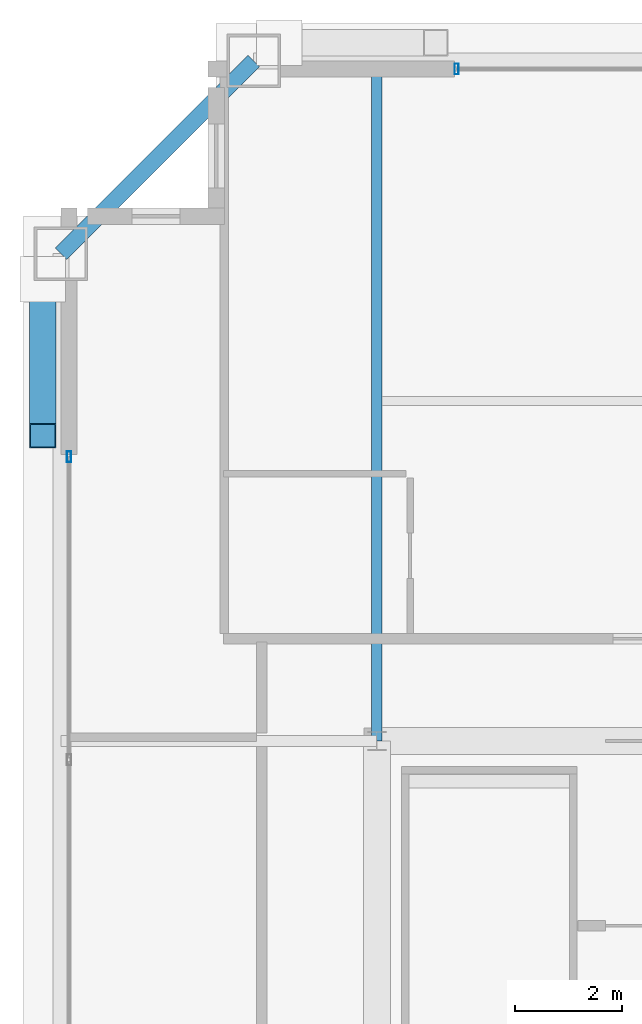
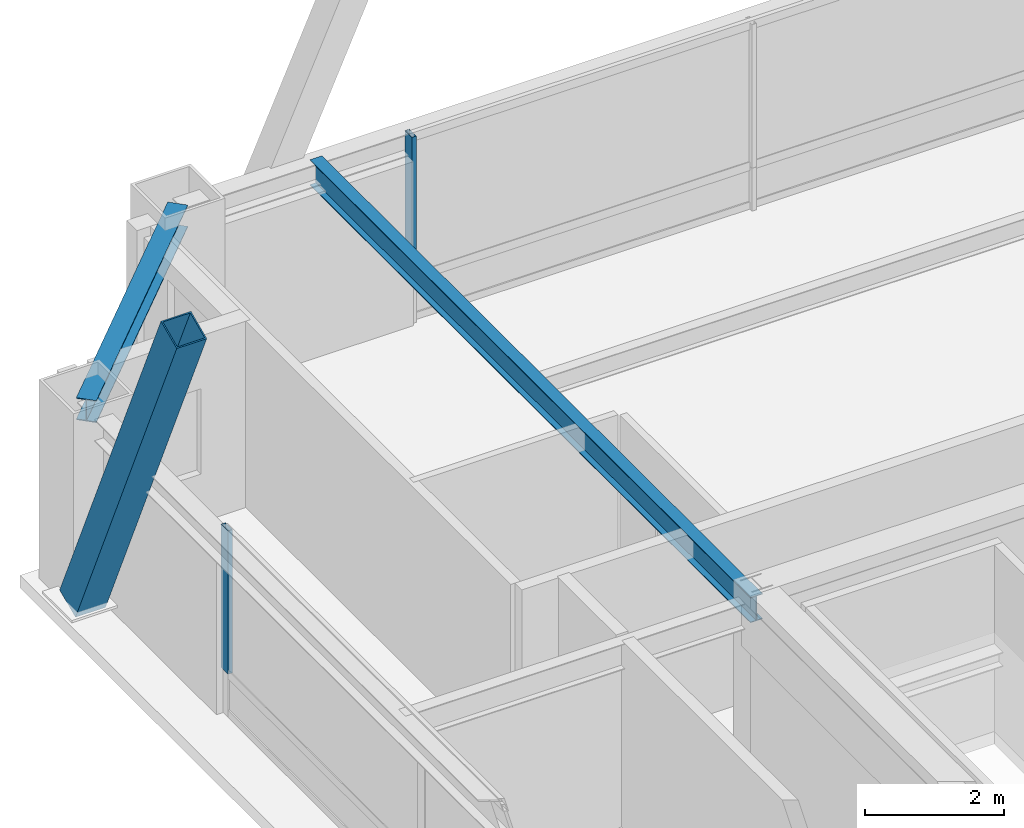
# One storey, part 15 of 34: 3 members, 2 beams, 2 elements without a shape of their own.
"""IFC4 building model written with IfcOpenShell, lengths in metres."""

import ifcopenshell
import ifcopenshell.guid

model = None  # the IFC model being written
_history = None  # IfcOwnerHistory: only IFC2X3 demands one
_inside = {}  # id of a spatial element -> (the spatial element, [elements in it])
_under = {}  # id of a project, library or spatial element -> (it, [spatial elements below it])
_declared = {}  # id of a project -> (the project, [libraries it declares])
_typed = {}  # id of a type object -> (the type object, [elements of that type])
_made_of = {}  # id of a material, layer set ... -> (it, [elements and type objects made of it])


def new_model(schema):
    """Start an empty IFC model of exactly this schema.

    Asked for "IFC4X3", IfcOpenShell would pick the latest addendum, in which some entities
    have other attributes; the version numbers below select the first issue.
    IFC2X3 requires an IfcOwnerHistory on every rooted entity: one is made here for all.
    """
    global model, _history
    if schema == "IFC4X3":
        model = ifcopenshell.file(schema_version=(4, 3, 0, 0))
    else:
        model = ifcopenshell.file(schema=schema)
    _inside.clear()
    _under.clear()
    _declared.clear()
    _typed.clear()
    _made_of.clear()
    _history = None
    if model.schema == "IFC2X3":
        org = make("IfcOrganization", Name="unknown")
        user = make(
            "IfcPersonAndOrganization",
            ThePerson=make("IfcPerson", FamilyName="unknown"),
            TheOrganization=org,
        )
        app = make(
            "IfcApplication",
            ApplicationDeveloper=org,
            Version="unknown",
            ApplicationFullName="unknown",
            ApplicationIdentifier="unknown",
        )
        _history = make(
            "IfcOwnerHistory",
            OwningUser=user,
            OwningApplication=app,
            ChangeAction="ADDED",
            CreationDate=0,
        )
    return model


def make(cls, **values):
    """One entity of the class cls with the attributes given. An attribute that is None is left unset."""
    return model.create_entity(
        cls, **{name: value for name, value in values.items() if value is not None}
    )


def rooted(cls, **values):
    """An entity with a GlobalId (a new one), such as an element, a storey or a relation."""
    return make(cls, GlobalId=ifcopenshell.guid.new(), OwnerHistory=_history, **values)


def si_unit(unit_type, name, prefix=None):
    """IfcSIUnit, for example si_unit("LENGTHUNIT", "METRE", prefix="MILLI")."""
    return make("IfcSIUnit", UnitType=unit_type, Prefix=prefix, Name=name)


def assignment(units):
    """IfcUnitAssignment: the units of a project."""
    return None if units is None else make("IfcUnitAssignment", Units=units)


def point(xyz):
    """IfcCartesianPoint."""
    return None if xyz is None else make("IfcCartesianPoint", Coordinates=xyz)


def direction(xyz):
    """IfcDirection."""
    return None if xyz is None else make("IfcDirection", DirectionRatios=xyz)


def frame(location, z_axis=None, x_axis=None):
    """IfcAxis2Placement3D, a coordinate frame: its origin and axes. An axis left out is left unset."""
    return make(
        "IfcAxis2Placement3D",
        Location=point(location),
        Axis=direction(z_axis),
        RefDirection=direction(x_axis),
    )


def frame_2d(location, x_axis=None):
    """IfcAxis2Placement2D, a coordinate frame in the plane: its origin and x axis."""
    return make(
        "IfcAxis2Placement2D", Location=point(location), RefDirection=direction(x_axis)
    )


def origin():
    """The frame at (0, 0, 0) with its axes left unset."""
    return frame((0.0, 0.0, 0.0))


def origin_2d():
    """The frame at (0, 0) in the plane with its x axis left unset."""
    return frame_2d((0.0, 0.0))


def place(relative_to, where):
    """IfcLocalPlacement: puts the frame where relative to a parent placement (None: the world)."""
    return make(
        "IfcLocalPlacement", PlacementRelTo=relative_to, RelativePlacement=where
    )


def context(
    kind, dimensions, precision=None, world=None, true_north=None, identifier=None
):
    """IfcGeometricRepresentationContext, for example the 3D "Model" context."""
    return make(
        "IfcGeometricRepresentationContext",
        ContextIdentifier=identifier,
        ContextType=kind,
        CoordinateSpaceDimension=dimensions,
        Precision=precision,
        WorldCoordinateSystem=world,
        TrueNorth=true_north,
    )


def subcontext(parent, identifier, kind, view, scale=None):
    """IfcGeometricRepresentationSubContext, for example "Body" below "Model"."""
    return make(
        "IfcGeometricRepresentationSubContext",
        ContextIdentifier=identifier,
        ContextType=kind,
        ParentContext=parent,
        TargetScale=scale,
        TargetView=view,
    )


def project(units=None, contexts=None):
    """IfcProject with its units and contexts."""
    return rooted(
        "IfcProject",
        Name="project",
        RepresentationContexts=contexts,
        UnitsInContext=assignment(units),
    )


def spatial(cls, under=None, at=None, **own):
    """A site, building, storey or space (cls), placed at a placement, below another one or the project."""
    s = rooted(cls, ObjectPlacement=at, **own)
    if under is not None:
        _under.setdefault(under.id(), (under, []))[1].append(s)
    return s


def profile(cls, at=None, kind="AREA", **sizes):
    """A parametric profile (cls). Its sizes go by their IFC names, for example OverallWidth=200.0."""
    return make(cls, ProfileType=kind, Position=at, **sizes)


def hollow_rectangle(**sizes):
    """IfcRectangleHollowProfileDef."""
    return profile("IfcRectangleHollowProfileDef", **sizes)


def i_section(**sizes):
    """IfcIShapeProfileDef."""
    return profile("IfcIShapeProfileDef", **sizes)


def extrude(swept, where, along, depth):
    """IfcExtrudedAreaSolid: the profile swept, set in the frame where, extruded along a direction by depth."""
    return make(
        "IfcExtrudedAreaSolid",
        SweptArea=swept,
        Position=where,
        ExtrudedDirection=direction(along),
        Depth=depth,
    )


def shape(context_of_items, identifier, shape_type, items):
    """IfcShapeRepresentation: the items that make up one representation, for example the "Body"."""
    return make(
        "IfcShapeRepresentation",
        ContextOfItems=context_of_items,
        RepresentationIdentifier=identifier,
        RepresentationType=shape_type,
        Items=items,
    )


def source(mapping_origin, context_of_items, identifier, shape_type, items):
    """IfcRepresentationMap: a shape defined once, which mapped items show again and again."""
    return make(
        "IfcRepresentationMap",
        MappingOrigin=mapping_origin,
        MappedRepresentation=shape(context_of_items, identifier, shape_type, items),
    )


def transform(
    local_origin,
    x_axis=None,
    y_axis=None,
    z_axis=None,
    scale=None,
    scale2=None,
    scale3=None,
    uniform=True,
):
    """IfcCartesianTransformationOperator3D, or its non-uniform kind. x_axis, y_axis, z_axis: its Axis1, 2, 3."""
    if uniform:
        return make(
            "IfcCartesianTransformationOperator3D",
            Axis1=direction(x_axis),
            Axis2=direction(y_axis),
            LocalOrigin=point(local_origin),
            Scale=scale,
            Axis3=direction(z_axis),
        )
    return make(
        "IfcCartesianTransformationOperator3DnonUniform",
        Axis1=direction(x_axis),
        Axis2=direction(y_axis),
        LocalOrigin=point(local_origin),
        Scale=scale,
        Axis3=direction(z_axis),
        Scale2=scale2,
        Scale3=scale3,
    )


def mapped(mapping_source, mapping_target):
    """IfcMappedItem: shows the shape of a source again, moved by a transform."""
    return make(
        "IfcMappedItem", MappingSource=mapping_source, MappingTarget=mapping_target
    )


def material(Name=None, Category=None):
    """IfcMaterial."""
    return make("IfcMaterial", Name=Name, Category=Category)


def layer(
    of_material, thickness, ventilated=None, Name=None, Category=None, Priority=None
):
    """IfcMaterialLayer: one layer of a wall or slab, of a material (None: an air gap)."""
    return make(
        "IfcMaterialLayer",
        Material=of_material,
        LayerThickness=thickness,
        IsVentilated=ventilated,
        Name=Name,
        Category=Category,
        Priority=Priority,
    )


def layer_set(layers, Name=None):
    """IfcMaterialLayerSet."""
    return make("IfcMaterialLayerSet", MaterialLayers=layers, LayerSetName=Name)


def material_profile(
    of_material, cross_section, Name=None, Category=None, Priority=None
):
    """IfcMaterialProfile: a cross section and its material."""
    return make(
        "IfcMaterialProfile",
        Name=Name,
        Material=of_material,
        Profile=cross_section,
        Priority=Priority,
        Category=Category,
    )


def profile_set(profiles, Name=None, composite=None):
    """IfcMaterialProfileSet."""
    return make(
        "IfcMaterialProfileSet",
        Name=Name,
        MaterialProfiles=profiles,
        CompositeProfile=composite,
    )


def made_of(thing, what):
    """Note that an element or type object is made of a material, layer set ...; save() writes the relation."""
    if what is not None:
        _made_of.setdefault(what.id(), (what, []))[1].append(thing)
    return thing


def type_object(cls, material=None, **own):
    """A type object (cls), such as IfcWallType, which elements share."""
    return made_of(rooted(cls, **own), material)


def element(
    cls,
    number,
    at=None,
    inside=None,
    cuts=None,
    type_object=None,
    material=None,
    context=None,
    identifier="Body",
    shape_type=None,
    held_by="IfcProductDefinitionShape",
    body=None,
    shapes=None,
    **own,
):
    """One element of the class cls, such as IfcWall. Its Tag is "e" and its number.

    at: its placement. inside: the storey or other place that contains it. cuts: it is an
    opening in that element (IfcRelVoidsElement). A single representation is given by context,
    identifier, shape_type and body (its items); several are given by shapes. held_by: the class
    of the entity that holds the representations. save() writes the other relations.
    """
    e = rooted(cls, Tag="e%d" % number, ObjectPlacement=at, **own)
    if body is not None:
        shapes = [shape(context, identifier, shape_type, body)]
    if shapes is not None:
        e.Representation = make(held_by, Representations=shapes)
    if inside is not None:
        _inside.setdefault(inside.id(), (inside, []))[1].append(e)
    if cuts is not None:
        rooted(
            "IfcRelVoidsElement", RelatingBuildingElement=cuts, RelatedOpeningElement=e
        )
    if type_object is not None:
        _typed.setdefault(type_object.id(), (type_object, []))[1].append(e)
    return made_of(e, material)


def aggregate(whole, parts):
    """IfcRelAggregates: a whole, such as a stair, and the parts it consists of."""
    return rooted("IfcRelAggregates", RelatingObject=whole, RelatedObjects=parts)


def save(model, path):
    """Write the relations noted so far, then the file.

    IfcRelAggregates (storeys below a building ...), IfcRelContainedInSpatialStructure (elements
    in a storey), IfcRelDefinesByType, IfcRelAssociatesMaterial and IfcRelDeclares: one each for
    every whole, place, type object, material and project.
    """
    for whole, parts in _under.values():
        aggregate(whole, parts)
    for where, things in _inside.values():
        rooted(
            "IfcRelContainedInSpatialStructure",
            RelatedElements=things,
            RelatingStructure=where,
        )
    for kind, things in _typed.values():
        rooted("IfcRelDefinesByType", RelatedObjects=things, RelatingType=kind)
    for what, things in _made_of.values():
        rooted("IfcRelAssociatesMaterial", RelatedObjects=things, RelatingMaterial=what)
    for by, libraries in _declared.values():
        rooted("IfcRelDeclares", RelatingContext=by, RelatedDefinitions=libraries)
    model.write(path)


model = new_model("IFC4")

# Units and contexts
model_context = context("Model", 3, precision=1e-05, world=origin(), true_north=direction((0.0, 1.0)))
body_context = subcontext(model_context, "Body", "Model", "MODEL_VIEW")
ifc_project = project(units=[si_unit("LENGTHUNIT", "METRE"), si_unit("AREAUNIT", "SQUARE_METRE"), si_unit("VOLUMEUNIT", "CUBIC_METRE"), si_unit("PLANEANGLEUNIT", "RADIAN"), si_unit("MASSUNIT", "GRAM", prefix="KILO"), si_unit("THERMODYNAMICTEMPERATUREUNIT", "KELVIN"), si_unit("POWERUNIT", "WATT")], contexts=[model_context])

# Site, building, storey
site_placement = place(None, origin())
site = spatial("IfcSite", under=ifc_project, at=site_placement, CompositionType="ELEMENT")
building_placement = place(site_placement, origin())
building = spatial("IfcBuilding", under=site, at=building_placement, Name="Yuzanri Waterfront Tower", CompositionType="ELEMENT")
storey_placement = place(building_placement, frame((0.0, 0.0, 328.699951171875)))
storey = spatial("IfcBuildingStorey", under=building, at=storey_placement, Name="L88", CompositionType="ELEMENT", Elevation=328.699951171875)

# Beams
ifc_material_1 = material(Name="Steel Q355B", Category="steel")
ifc_material_profile_1 = material_profile(ifc_material_1, i_section(OverallWidth=0.300048828125, OverallDepth=0.389892578125, WebThickness=0.010009765625, FlangeThickness=0.01611328125, at=origin_2d()), Name="HM 390x300x10x16")
ifc_profile_set_1 = profile_set([ifc_material_profile_1], Name="Steel Q355B")
beam_type_1 = type_object("IfcBeamType", Name="Perimeter Spandrel Q355B HM 390x300", PredefinedType="SPANDREL", material=ifc_profile_set_1)
shared_shape_1 = source(origin(), body_context, "Body", "SweptSolid", [
    extrude(i_section(OverallWidth=0.300048828125, OverallDepth=0.389892578125, WebThickness=0.010009765625, FlangeThickness=0.01611328125, at=origin_2d()), origin(), (0.0, 0.0, 1.0), 5.091064453125),
])
beam_1_placement = place(storey_placement, frame((21.5, 44.89990234375, 3.0849609375), z_axis=(-0.707130757816, -0.707082803744, 0.0), x_axis=(0.707082803744, -0.707130757816, 0.0)))
element("IfcBeam", 1, at=beam_1_placement, inside=storey, type_object=beam_type_1, Name="L88 Perimeter Spandrel N1-W3", PredefinedType="SPANDREL", context=body_context, shape_type="MappedRepresentation", body=[
    mapped(shared_shape_1, transform((0.0, 0.0, 0.0), scale=1.0)),
])
ifc_material_2 = material(Name="Steel Q355B", Category="steel")
ifc_material_profile_2 = material_profile(ifc_material_2, i_section(OverallWidth=0.199951171875, OverallDepth=0.449951171875, WebThickness=0.009033203125, FlangeThickness=0.013916015625, at=origin_2d()), Name="HN 450x200x9x14")
ifc_profile_set_2 = profile_set([ifc_material_profile_2], Name="Steel Q355B")
beam_type_2 = type_object("IfcBeamType", Name="Secondary Floor Beam Q355B HN 450x200", PredefinedType="BEAM", material=ifc_profile_set_2)
shared_shape_2 = source(origin(), body_context, "Body", "SweptSolid", [
    extrude(i_section(OverallWidth=0.199951171875, OverallDepth=0.449951171875, WebThickness=0.009033203125, FlangeThickness=0.013916015625, at=origin_2d()), origin(), (0.0, 0.0, 1.0), 12.699951171875),
])
beam_2_placement = place(storey_placement, frame((23.800048828125, 32.199951171875, 3.054931640625), z_axis=(0.0, 1.0, 0.0), x_axis=(-1.0, 0.0, 0.0)))
element("IfcBeam", 2, at=beam_2_placement, inside=storey, type_object=beam_type_2, Name="L88 North-West Core Line Beam", PredefinedType="BEAM", context=body_context, shape_type="MappedRepresentation", body=[
    mapped(shared_shape_2, transform((0.0, 0.0, 0.0), scale=1.0)),
])

# Member
ifc_material_3 = material(Name="Steel Q390GJC", Category="steel")
ifc_material_profile_3 = material_profile(ifc_material_3, hollow_rectangle(XDim=0.5, YDim=0.5, WallThickness=0.02197265625, at=origin_2d()), Name="RHS 500x500x22")
ifc_profile_set_3 = profile_set([ifc_material_profile_3], Name="Steel Q390GJC")
member_type_1 = type_object("IfcMemberType", Name="Mega Brace Upper Q390GJC RHS 500x500x22", PredefinedType="BRACE", material=ifc_profile_set_3)
shared_shape_3 = source(origin(), body_context, "Body", "SweptSolid", [
    extrude(hollow_rectangle(XDim=0.5, YDim=0.5, WallThickness=0.02197265625, at=origin_2d()), origin(), (0.0, 0.0, 1.0), 7.125732421875),
])
member_1_placement = place(storey_placement, frame((17.56005859375, 40.820068359375, 0.179931640625), z_axis=(0.0, -0.409800461192, 0.912175192607), x_axis=(1.0, 0.0, 0.0)))
element("IfcMember", 3, at=member_1_placement, inside=storey, type_object=member_type_1, Name="L88-L89 Perimeter Mega-Brace W-R", PredefinedType="BRACE", context=body_context, shape_type="MappedRepresentation", body=[
    mapped(shared_shape_3, transform((0.0, 0.0, 0.0), scale=1.0)),
])

# Curtain wall, member
ifc_material_4 = material(Name="Anodized Architectural Bronze", Category="metal")
ifc_layer = layer(ifc_material_4, 0.159912109375)
ifc_layer_set = layer_set([ifc_layer], Name="Anodized Architectural Bronze")
curtain_wall_type = type_object("IfcCurtainWallType", Name="Anodized Bronze High-Rise Penthouse High-Wind Unitized Curtain Wall 6900", PredefinedType="NOTDEFINED", material=ifc_layer_set)
curtain_wall_1_placement = place(storey_placement, origin())
curtain_wall_1 = element("IfcCurtainWall", 4, at=curtain_wall_1_placement, inside=storey, type_object=curtain_wall_type, Name="L88 Curtain Wall CW-L88-NL", PredefinedType="NOTDEFINED")
ifc_material_5 = material(Name="Anodized Architectural Bronze", Category="metal")
ifc_material_profile_4 = material_profile(ifc_material_5, hollow_rectangle(XDim=0.074951171875, YDim=0.199951171875, WallThickness=0.00390625, at=origin_2d()), Name="CWM 75x200")
ifc_profile_set_4 = profile_set([ifc_material_profile_4], Name="Anodized Architectural Bronze")
member_type_2 = type_object("IfcMemberType", Name="Anodized Bronze Primary Curtain-Wall Mullion 75x200", PredefinedType="MULLION", material=ifc_profile_set_4)
shared_shape_4 = source(origin(), body_context, "Body", "SweptSolid", [
    extrude(hollow_rectangle(XDim=0.074951171875, YDim=0.199951171875, WallThickness=0.00390625, at=origin_2d()), origin(), (0.0, 0.0, 1.0), 2.52392578125),
])
member_2_placement = place(storey_placement, frame((25.2900390625, 44.75, 0.756103515625), z_axis=(0.0, 0.0, 1.0), x_axis=(1.0, 0.0, 0.0)))
member_2 = element("IfcMember", 5, at=member_2_placement, type_object=member_type_2, Name="CW-L88-NL Upper Mullion 00", PredefinedType="MULLION", context=body_context, shape_type="MappedRepresentation", body=[
    mapped(shared_shape_4, transform((0.0, 0.0, 0.0), scale=1.0)),
])
aggregate(curtain_wall_1, [member_2])

curtain_wall_2_placement = place(storey_placement, origin())
curtain_wall_2 = element("IfcCurtainWall", 6, at=curtain_wall_2_placement, inside=storey, type_object=curtain_wall_type, Name="L88 Curtain Wall CW-L88-WR", PredefinedType="NOTDEFINED")
member_3_placement = place(storey_placement, frame((18.050048828125, 37.510009765625, 0.756103515625), z_axis=(0.0, 0.0, 1.0), x_axis=(1.0, 0.0, 0.0)))
member_3 = element("IfcMember", 7, at=member_3_placement, type_object=member_type_2, Name="CW-L88-WR Upper Mullion 02", PredefinedType="MULLION", context=body_context, shape_type="MappedRepresentation", body=[
    mapped(shared_shape_4, transform((0.0, 0.0, 0.0), scale=1.0)),
])
aggregate(curtain_wall_2, [member_3])

save(model, "model.ifc")
